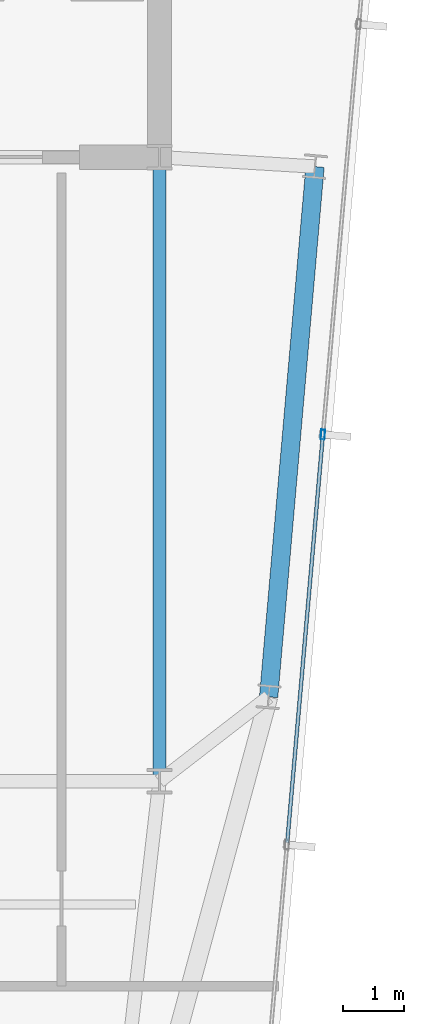
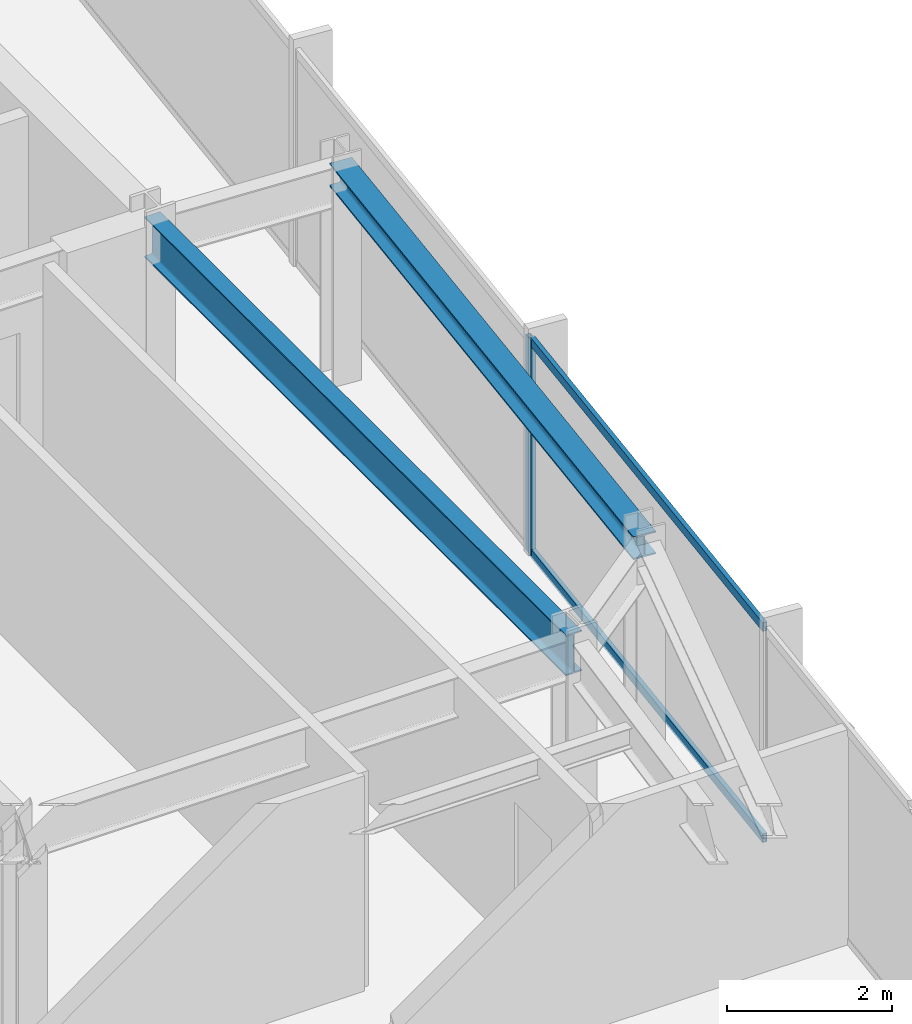
# One storey, part 17 of 32: 3 members, 2 beams, 1 element without a shape of its own.
"""IFC4 building model written with IfcOpenShell, lengths in metres."""

from ifc_helpers import new_model, si_unit, direction, frame, origin, origin_2d, place, context, subcontext, project, spatial, hollow_rectangle, i_section, extrude, material, material_profile, profile_set, type_object, element, aggregate, save


model = new_model("IFC4")

# Units and contexts
model_context = context("Model", 3, precision=1e-05, world=origin(), true_north=direction((0.0, 1.0)))
body_context = subcontext(model_context, "Body", "Model", "MODEL_VIEW")
ifc_project = project(units=[si_unit("LENGTHUNIT", "METRE"), si_unit("AREAUNIT", "SQUARE_METRE"), si_unit("VOLUMEUNIT", "CUBIC_METRE"), si_unit("PLANEANGLEUNIT", "RADIAN"), si_unit("MASSUNIT", "GRAM", prefix="KILO")], contexts=[model_context])

# Site, building, storey
site_placement = place(None, origin())
site = spatial("IfcSite", under=ifc_project, at=site_placement, CompositionType="ELEMENT")
building_placement = place(site_placement, origin())
building = spatial("IfcBuilding", under=site, at=building_placement, Name="Yelkora Congress Tower", CompositionType="ELEMENT")
storey_placement = place(building_placement, frame((0.0, 0.0, 276.10009765625)))
storey = spatial("IfcBuildingStorey", under=building, at=storey_placement, Name="L77", CompositionType="ELEMENT", Elevation=276.10009765625)

# Beams
ifc_material_1 = material(Name="Steel S355J2", Category="steel")
ifc_material_profile_1 = material_profile(ifc_material_1, i_section(OverallWidth=0.219970703125, OverallDepth=0.60009765625, WebThickness=0.011962890625, FlangeThickness=0.01904296875, FilletRadius=0.02392578125, at=origin_2d()), Name="IPE 600")
ifc_profile_set_1 = profile_set([ifc_material_profile_1], Name="Steel S355J2")
beam_type_1 = type_object("IfcBeamType", Name="BM-GIRD-IPE600", PredefinedType="BEAM", material=ifc_profile_set_1)
beam_1_placement = place(storey_placement, frame((53.760009765625, 25.199951171875, 2.8798828125), z_axis=(0.0, 1.0, 0.0), x_axis=(-1.0, 0.0, 0.0)))
element("IfcBeam", 1, at=beam_1_placement, inside=storey, type_object=beam_type_1, Name="L77 Core Tie Girder MC-D5", PredefinedType="BEAM", context=body_context, shape_type="SweptSolid", body=[
    extrude(i_section(OverallWidth=0.219970703125, OverallDepth=0.60009765625, WebThickness=0.011962890625, FlangeThickness=0.01904296875, FilletRadius=0.02392578125, at=origin_2d()), origin(), (0.0, 0.0, 1.0), 10.199951171875),
])
ifc_material_profile_2 = material_profile(ifc_material_1, i_section(OverallWidth=0.300048828125, OverallDepth=0.340087890625, WebThickness=0.011962890625, FlangeThickness=0.021484375, FilletRadius=0.027099609375, at=origin_2d()), Name="HEB 340")
ifc_profile_set_2 = profile_set([ifc_material_profile_2], Name="Steel S355J2")
beam_type_2 = type_object("IfcBeamType", Name="BM-SPAN-HEB340", PredefinedType="SPANDREL", material=ifc_profile_set_2)
beam_2_placement = place(storey_placement, frame((55.543701171875, 26.57861328125, 3.010009765625), z_axis=(0.08715998813, 0.99619432666, 0.0), x_axis=(-0.99619432666, 0.08715998813, 0.0)))
element("IfcBeam", 2, at=beam_2_placement, inside=storey, type_object=beam_type_2, Name="L77 Perimeter Beam 8", PredefinedType="SPANDREL", context=body_context, shape_type="SweptSolid", body=[
    extrude(i_section(OverallWidth=0.300048828125, OverallDepth=0.340087890625, WebThickness=0.011962890625, FlangeThickness=0.021484375, FilletRadius=0.027099609375, at=origin_2d()), origin(), (0.0, 0.0, 1.0), 8.7001953125),
])

# Curtain wall, members
ifc_material_2 = material(Name="Anodised aluminium and insulated glass", Category="aluminium")
curtain_wall_type = type_object("IfcCurtainWallType", Name="CW-SYS-B5", PredefinedType="NOTDEFINED", material=ifc_material_2)
curtain_wall_placement = place(storey_placement, origin())
curtain_wall = element("IfcCurtainWall", 3, at=curtain_wall_placement, inside=storey, type_object=curtain_wall_type, Name="L77 Unitised Curtain Wall 15", PredefinedType="NOTDEFINED")
ifc_material_3 = material(Name="Anodised aluminium 6063-T6", Category="aluminium")
ifc_material_profile_3 = material_profile(ifc_material_3, hollow_rectangle(XDim=0.06494140625, YDim=0.159912109375, WallThickness=0.00390625, at=origin_2d()), Name="ALU 65x160x4")
ifc_profile_set_3 = profile_set([ifc_material_profile_3], Name="Anodised aluminium 6063-T6")
member_type_1 = type_object("IfcMemberType", Name="MEM-ML-B5", PredefinedType="MULLION", material=ifc_profile_set_3)
member_1_placement = place(storey_placement, frame((56.430908203125, 30.867431640625, 0.0), z_axis=(0.0, 0.0, 1.0), x_axis=(0.996194463398, -0.087158425264, 0.0)))
member_1 = element("IfcMember", 4, at=member_1_placement, type_object=member_type_1, Name="CW-B5 mullion 3", PredefinedType="MULLION", context=body_context, shape_type="SweptSolid", body=[
    extrude(hollow_rectangle(XDim=0.06494140625, YDim=0.159912109375, WallThickness=0.00390625, at=origin_2d()), origin(), (0.0, 0.0, 1.0), 3.179931640625),
])
ifc_material_profile_4 = material_profile(ifc_material_3, hollow_rectangle(XDim=0.06005859375, YDim=0.1298828125, WallThickness=0.00390625, at=origin_2d()), Name="ALU 60x130x4")
ifc_profile_set_4 = profile_set([ifc_material_profile_4], Name="Anodised aluminium 6063-T6")
member_type_2 = type_object("IfcMemberType", Name="MEM-TR-B5", PredefinedType="USERDEFINED", material=ifc_profile_set_4)
member_2_placement = place(storey_placement, frame((56.42822265625, 30.835205078125, 0.02978515625), z_axis=(-0.087179673403, -0.996192604141, 0.0), x_axis=(0.996192604141, -0.087179673403, 0.0)))
member_2 = element("IfcMember", 5, at=member_2_placement, type_object=member_type_2, Name="CW-B5 transom 3.1", ObjectType="TRANSOM", PredefinedType="USERDEFINED", context=body_context, shape_type="SweptSolid", body=[
    extrude(hollow_rectangle(XDim=0.06005859375, YDim=0.1298828125, WallThickness=0.00390625, at=origin_2d()), origin(), (0.0, 0.0, 1.0), 6.6650390625),
])
member_3_placement = place(storey_placement, frame((56.42822265625, 30.835205078125, 3.14990234375), z_axis=(-0.087179673403, -0.996192604141, 0.0), x_axis=(0.996192604141, -0.087179673403, 0.0)))
member_3 = element("IfcMember", 6, at=member_3_placement, type_object=member_type_2, Name="CW-B5 transom 3.2", ObjectType="TRANSOM", PredefinedType="USERDEFINED", context=body_context, shape_type="SweptSolid", body=[
    extrude(hollow_rectangle(XDim=0.06005859375, YDim=0.1298828125, WallThickness=0.00390625, at=origin_2d()), origin(), (0.0, 0.0, 1.0), 6.6650390625),
])
aggregate(curtain_wall, [member_1, member_2, member_3])

save(model, "model.ifc")
